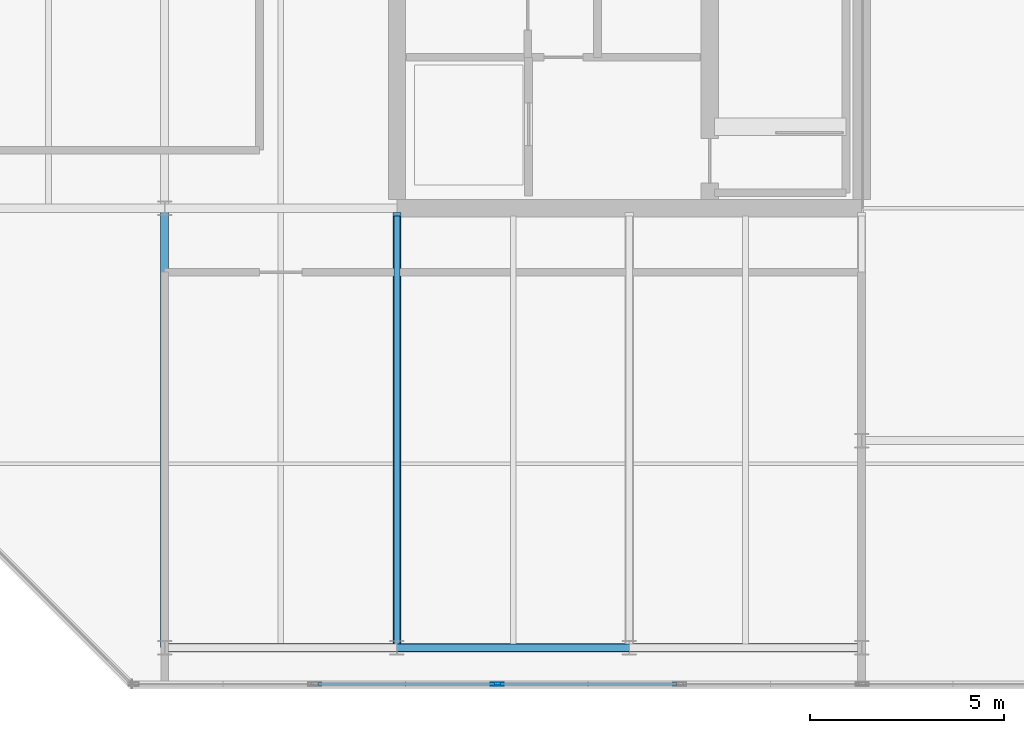
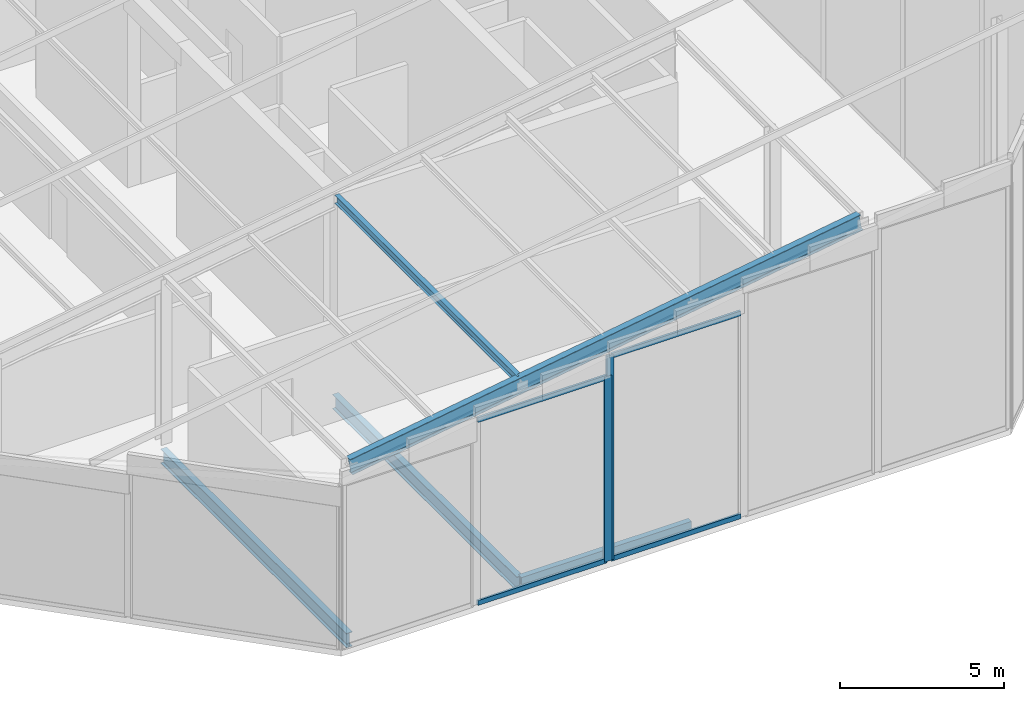
# One storey, part 4 of 30: 7 members, 4 beams, 2 elements without a shape of their own.
"""IFC4 building model written with IfcOpenShell, lengths in metres."""

from ifc_helpers import new_model, si_unit, direction, frame, origin, origin_2d, place, context, subcontext, project, spatial, hollow_rectangle, i_section, extrude, material, layer, layer_set, material_profile, profile_set, type_object, element, aggregate, save


model = new_model("IFC4")

# Units and contexts
model_context = context("Model", 3, precision=1e-05, world=origin(), true_north=direction((0.0, 1.0)))
body_context = subcontext(model_context, "Body", "Model", "MODEL_VIEW")
ifc_project = project(units=[si_unit("LENGTHUNIT", "METRE"), si_unit("AREAUNIT", "SQUARE_METRE"), si_unit("VOLUMEUNIT", "CUBIC_METRE"), si_unit("PLANEANGLEUNIT", "RADIAN"), si_unit("MASSUNIT", "GRAM", prefix="KILO")], contexts=[model_context])

# Site, building, storey
site_placement = place(None, origin())
site = spatial("IfcSite", under=ifc_project, at=site_placement, CompositionType="ELEMENT")
building_placement = place(site_placement, origin())
building = spatial("IfcBuilding", under=site, at=building_placement, Name="Tanjung Sevakor Pilgrim Tower", CompositionType="ELEMENT")
storey_placement = place(building_placement, frame((0.0, 0.0, 287.760009765625)))
storey = spatial("IfcBuildingStorey", under=building, at=storey_placement, Name="L80", CompositionType="ELEMENT", Elevation=287.760009765625)

# Beams
ifc_material_1 = material(Name="Steel S355J2", Category="steel")
ifc_material_profile_1 = material_profile(ifc_material_1, i_section(OverallWidth=0.22900390625, OverallDepth=0.6123046875, WebThickness=0.011962890625, FlangeThickness=0.01953125, FilletRadius=0.0126953125, at=origin_2d()))
ifc_profile_set_1 = profile_set([ifc_material_profile_1], Name="Steel S355J2")
beam_type_1 = type_object("IfcBeamType", Name="BM-B-G4-UB_610x229x125", PredefinedType="BEAM", material=ifc_profile_set_1)
beam_1_placement = place(storey_placement, frame((72.0, 13.25, 5.96044921875), z_axis=(0.98788088249, 0.0, 0.155213923377), x_axis=(0.0, 1.0, 0.0)))
element("IfcBeam", 1, at=beam_1_placement, inside=storey, type_object=beam_type_1, Name="L80 Sloped Crown Perimeter Raker 01", PredefinedType="BEAM", context=body_context, shape_type="SweptSolid", body=[
    extrude(i_section(OverallWidth=0.22900390625, OverallDepth=0.6123046875, WebThickness=0.011962890625, FlangeThickness=0.01953125, FilletRadius=0.0126953125, at=origin_2d()), origin(), (0.0, 0.0, 1.0), 18.220703125),
])
ifc_material_2 = material(Name="Steel S355J2", Category="steel")
ifc_material_profile_2 = material_profile(ifc_material_2, i_section(OverallWidth=0.210693359375, OverallDepth=0.53955078125, WebThickness=0.01171875, FlangeThickness=0.018798828125, FilletRadius=0.0126953125, at=origin_2d()))
ifc_profile_set_2 = profile_set([ifc_material_profile_2], Name="Steel S355J2")
beam_type_2 = type_object("IfcBeamType", Name="BM-B-G6-UB_533x210x109", PredefinedType="BEAM", material=ifc_profile_set_2)
beam_2_placement = place(storey_placement, frame((72.0, 13.25, -0.52978515625), z_axis=(0.0, 1.0, 0.0), x_axis=(-1.0, 0.0, 0.0)))
element("IfcBeam", 2, at=beam_2_placement, inside=storey, type_object=beam_type_2, Name="L80 EAST Girder 002", PredefinedType="BEAM", context=body_context, shape_type="SweptSolid", body=[
    extrude(i_section(OverallWidth=0.210693359375, OverallDepth=0.53955078125, WebThickness=0.01171875, FlangeThickness=0.018798828125, FilletRadius=0.0126953125, at=origin_2d()), origin(), (0.0, 0.0, 1.0), 11.35009765625),
])
beam_3_placement = place(storey_placement, frame((78.0, 13.25, -0.52978515625), z_axis=(0.0, 1.0, 0.0), x_axis=(-1.0, 0.0, 0.0)))
element("IfcBeam", 3, at=beam_3_placement, inside=storey, type_object=beam_type_2, Name="L80 EAST Girder 005", PredefinedType="BEAM", context=body_context, shape_type="SweptSolid", body=[
    extrude(i_section(OverallWidth=0.210693359375, OverallDepth=0.53955078125, WebThickness=0.01171875, FlangeThickness=0.018798828125, FilletRadius=0.0126953125, at=origin_2d()), origin(), (0.0, 0.0, 1.0), 11.243896484375),
])
ifc_material_3 = material(Name="Steel S355J2", Category="steel")
ifc_material_profile_3 = material_profile(ifc_material_3, hollow_rectangle(XDim=0.199951171875, YDim=0.300048828125, WallThickness=0.012451171875, at=origin_2d()))
ifc_profile_set_3 = profile_set([ifc_material_profile_3], Name="Steel S355J2")
beam_type_3 = type_object("IfcBeamType", Name="BM-B-SP3-RHS_300x200x12.5", PredefinedType="SPANDREL", material=ifc_profile_set_3)
beam_4_placement = place(storey_placement, frame((78.0, 13.25, -0.409912109375), z_axis=(1.0, 0.0, 0.0), x_axis=(0.0, 1.0, 0.0)))
element("IfcBeam", 4, at=beam_4_placement, inside=storey, type_object=beam_type_3, Name="L80 Spandrel EAST S-03", PredefinedType="SPANDREL", context=body_context, shape_type="SweptSolid", body=[
    extrude(hollow_rectangle(XDim=0.199951171875, YDim=0.300048828125, WallThickness=0.012451171875, at=origin_2d()), origin(), (0.0, 0.0, 1.0), 6.0),
])

# Member
ifc_material_4 = material(Name="Steel S355J2", Category="steel")
ifc_material_profile_4 = material_profile(ifc_material_4, i_section(OverallWidth=0.165771484375, OverallDepth=0.306640625, WebThickness=0.006591796875, FlangeThickness=0.01171875, FilletRadius=0.0087890625, at=origin_2d()))
ifc_profile_set_4 = profile_set([ifc_material_profile_4], Name="Steel S355J2")
member_type_1 = type_object("IfcMemberType", Name="MEM-M-PR1-UB_305x165x46", PredefinedType="PURLIN", material=ifc_profile_set_4)
member_1_placement = place(storey_placement, frame((78.0, 13.25, 7.055908203125), z_axis=(0.0, 1.0, 0.0), x_axis=(-1.0, 0.0, 0.0)))
element("IfcMember", 5, at=member_1_placement, inside=storey, type_object=member_type_1, Name="L80 Crown Roof Purlin 05", PredefinedType="PURLIN", context=body_context, shape_type="SweptSolid", body=[
    extrude(i_section(OverallWidth=0.165771484375, OverallDepth=0.306640625, WebThickness=0.006591796875, FlangeThickness=0.01171875, FilletRadius=0.0087890625, at=origin_2d()), origin(), (0.0, 0.0, 1.0), 11.14990234375),
])

# Curtain wall, member
ifc_material_5 = material(Name="Aluminium 6063-T6 and Low-E Glass", Category="aluminium")
ifc_layer = layer(ifc_material_5, 0.219970703125)
ifc_layer_set = layer_set([ifc_layer], Name="CW-SYS-CRNE")
curtain_wall_type = type_object("IfcCurtainWallType", Name="CW-SYS-CRNE", PredefinedType="NOTDEFINED", material=ifc_layer_set)
curtain_wall_1_placement = place(storey_placement, origin())
curtain_wall_1 = element("IfcCurtainWall", 6, at=curtain_wall_1_placement, inside=storey, type_object=curtain_wall_type, Name="L80 Curtain Wall CW-CRN-L80-EAST-0-1B2", PredefinedType="NOTDEFINED")
ifc_material_6 = material(Name="Aluminium 6063-T6", Category="aluminium")
ifc_material_profile_5 = material_profile(ifc_material_6, hollow_rectangle(XDim=0.080078125, YDim=0.260009765625, WallThickness=0.0048828125, at=origin_2d()))
ifc_profile_set_5 = profile_set([ifc_material_profile_5], Name="Aluminium 6063-T6")
member_type_2 = type_object("IfcMemberType", Name="TYPE-CWM-3", PredefinedType="MULLION", material=ifc_profile_set_5)
member_2_placement = place(storey_placement, frame((80.552978515625, 12.31005859375, 0.0), z_axis=(0.0, 0.0, 1.0), x_axis=(0.0, 1.0, 0.0)))
member_2 = element("IfcMember", 7, at=member_2_placement, type_object=member_type_2, Name="CW-CRE mullion 2", PredefinedType="MULLION", context=body_context, shape_type="SweptSolid", body=[
    extrude(hollow_rectangle(XDim=0.080078125, YDim=0.260009765625, WallThickness=0.0048828125, at=origin_2d()), origin(), (0.0, 0.0, 1.0), 6.89599609375),
])

curtain_wall_2_placement = place(storey_placement, origin())
curtain_wall_2 = element("IfcCurtainWall", 8, at=curtain_wall_2_placement, inside=storey, type_object=curtain_wall_type, Name="L80 Curtain Wall CW-CRN-L80-EAST-0-1B3", PredefinedType="NOTDEFINED")
member_3_placement = place(storey_placement, frame((80.633056640625, 12.31005859375, 0.0), z_axis=(0.0, 0.0, 1.0), x_axis=(0.0, 1.0, 0.0)))
member_3 = element("IfcMember", 9, at=member_3_placement, type_object=member_type_2, Name="CW-CRE mullion 1", PredefinedType="MULLION", context=body_context, shape_type="SweptSolid", body=[
    extrude(hollow_rectangle(XDim=0.080078125, YDim=0.260009765625, WallThickness=0.0048828125, at=origin_2d()), origin(), (0.0, 0.0, 1.0), 7.636474609375),
])

# Member
ifc_material_7 = material(Name="Aluminium 6063-T6", Category="aluminium")
ifc_material_profile_6 = material_profile(ifc_material_7, hollow_rectangle(XDim=0.080078125, YDim=0.179931640625, WallThickness=0.0048828125, at=origin_2d()))
ifc_profile_set_6 = profile_set([ifc_material_profile_6], Name="Aluminium 6063-T6")
member_type_3 = type_object("IfcMemberType", Name="TYPE-CWT-3", PredefinedType="USERDEFINED", material=ifc_profile_set_6)
member_4_placement = place(storey_placement, frame((75.95947265625, 12.31005859375, 0.0400390625), z_axis=(1.0, 0.0, 0.0), x_axis=(0.0, 1.0, 0.0)))
member_4 = element("IfcMember", 10, at=member_4_placement, type_object=member_type_3, Name="CW-CRE transom 1.1", ObjectType="TRANSOM", PredefinedType="USERDEFINED", context=body_context, shape_type="SweptSolid", body=[
    extrude(hollow_rectangle(XDim=0.080078125, YDim=0.179931640625, WallThickness=0.0048828125, at=origin_2d()), origin(), (0.0, 0.0, 1.0), 4.5537109375),
])

member_5_placement = place(storey_placement, frame((75.95947265625, 12.31005859375, 6.85595703125), z_axis=(1.0, 0.0, 0.0), x_axis=(0.0, 1.0, 0.0)))
member_5 = element("IfcMember", 11, at=member_5_placement, type_object=member_type_3, Name="CW-CRE transom 1.2", ObjectType="TRANSOM", PredefinedType="USERDEFINED", context=body_context, shape_type="SweptSolid", body=[
    extrude(hollow_rectangle(XDim=0.080078125, YDim=0.179931640625, WallThickness=0.0048828125, at=origin_2d()), origin(), (0.0, 0.0, 1.0), 4.5537109375),
])

aggregate(curtain_wall_1, [member_2, member_4, member_5])

member_6_placement = place(storey_placement, frame((80.673095703125, 12.31005859375, 0.0400390625), z_axis=(1.0, 0.0, 0.0), x_axis=(0.0, 1.0, 0.0)))
member_6 = element("IfcMember", 12, at=member_6_placement, type_object=member_type_3, Name="CW-CRE transom 1.1", ObjectType="TRANSOM", PredefinedType="USERDEFINED", context=body_context, shape_type="SweptSolid", body=[
    extrude(hollow_rectangle(XDim=0.080078125, YDim=0.179931640625, WallThickness=0.0048828125, at=origin_2d()), origin(), (0.0, 0.0, 1.0), 4.5537109375),
])

member_7_placement = place(storey_placement, frame((80.673095703125, 12.31005859375, 7.5966796875), z_axis=(1.0, 0.0, 0.0), x_axis=(0.0, 1.0, 0.0)))
member_7 = element("IfcMember", 13, at=member_7_placement, type_object=member_type_3, Name="CW-CRE transom 1.2", ObjectType="TRANSOM", PredefinedType="USERDEFINED", context=body_context, shape_type="SweptSolid", body=[
    extrude(hollow_rectangle(XDim=0.080078125, YDim=0.179931640625, WallThickness=0.0048828125, at=origin_2d()), origin(), (0.0, 0.0, 1.0), 4.5537109375),
])

aggregate(curtain_wall_2, [member_3, member_6, member_7])

save(model, "model.ifc")
